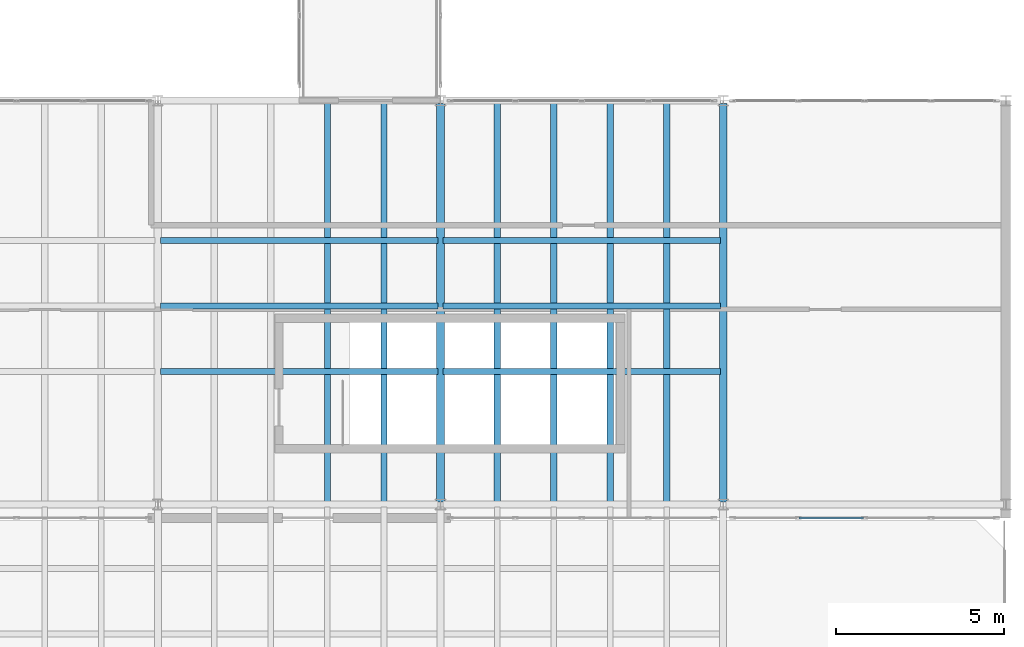
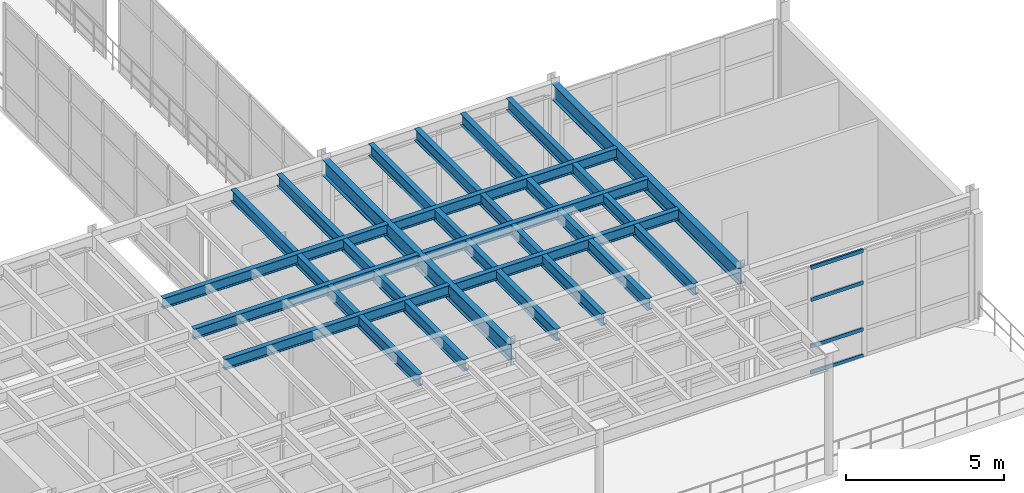
# One storey, part 46 of 105: 14 beams, 4 members, 1 element without a shape of its own.
"""IFC4 building model written with IfcOpenShell, lengths in metres."""

from ifc_helpers import new_model, si_unit, direction, frame, origin, origin_2d, place, context, subcontext, project, spatial, hollow_rectangle, i_section, extrude, material, layer, layer_set, material_profile, profile_set, type_object, element, aggregate, save


model = new_model("IFC4")

# Units and contexts
model_context = context("Model", 3, precision=1e-05, world=origin(), true_north=direction((0.0, 1.0)))
body_context = subcontext(model_context, "Body", "Model", "MODEL_VIEW")
ifc_project = project(units=[si_unit("LENGTHUNIT", "METRE"), si_unit("AREAUNIT", "SQUARE_METRE"), si_unit("VOLUMEUNIT", "CUBIC_METRE"), si_unit("PLANEANGLEUNIT", "RADIAN"), si_unit("MASSUNIT", "GRAM", prefix="KILO")], contexts=[model_context])

# Site, building, storey
site_placement = place(None, origin())
site = spatial("IfcSite", under=ifc_project, at=site_placement, CompositionType="ELEMENT")
building_placement = place(site_placement, origin())
building = spatial("IfcBuilding", under=site, at=building_placement, Name="Selat Folded Stagehouse", CompositionType="ELEMENT")
storey_placement = place(building_placement, frame((0.0, 0.0, 10.199951171875)))
storey = spatial("IfcBuildingStorey", under=building, at=storey_placement, Name="L02", CompositionType="ELEMENT", Elevation=10.199951171875)

# Beams
ifc_material_1 = material(Name="Steel S355", Category="steel")
ifc_material_profile_1 = material_profile(ifc_material_1, i_section(OverallWidth=0.230224609375, OverallDepth=0.6171875, WebThickness=0.01318359375, FlangeThickness=0.022216796875, FilletRadius=0.0126953125, at=origin_2d()), Name="UKB 610x229x140")
ifc_profile_set_1 = profile_set([ifc_material_profile_1], Name="Steel S355")
beam_type_1 = type_object("IfcBeamType", Name="BM-GIRD-610x229x140", PredefinedType="BEAM", material=ifc_profile_set_1)
for number, where, z_axis, x_axis, name in (
    (1, (100.800048828125, 5.876953125, 4.266357421875), (0.0, 1.0, 0.0), (-1.0, 0.0, 0.0), "L02 primary y-girder 1068"),
    (2, (109.199951171875, 5.876953125, 4.266357421875), (0.0, 1.0, 0.0), (-1.0, 0.0, 0.0), "L02 primary y-girder 1070"),
):
    element("IfcBeam", number, at=place(storey_placement, frame(where, z_axis=z_axis, x_axis=x_axis)), inside=storey, type_object=beam_type_1, Name=name, PredefinedType="BEAM", context=body_context, shape_type="SweptSolid", body=[
        extrude(i_section(OverallWidth=0.230224609375, OverallDepth=0.6171875, WebThickness=0.01318359375, FlangeThickness=0.022216796875, FilletRadius=0.0126953125, at=origin_2d()), origin(), (0.0, 0.0, 1.0), 11.845947265625),
    ])

# Curtain wall, members
ifc_material_2 = material(Name="Aluminium 6063-T6", Category="aluminium")
ifc_layer = layer(ifc_material_2, 0.2099609375)
ifc_layer_set = layer_set([ifc_layer], Name="Aluminium 6063-T6")
curtain_wall_type = type_object("IfcCurtainWallType", Name="CW-FYR-SOUTH", PredefinedType="NOTDEFINED", material=ifc_layer_set)
curtain_wall_placement = place(storey_placement, origin())
curtain_wall = element("IfcCurtainWall", 3, at=curtain_wall_placement, inside=storey, type_object=curtain_wall_type, Name="L02 curtain wall CW-FYR-L02-06", PredefinedType="NOTDEFINED")
ifc_material_profile_2 = material_profile(ifc_material_2, hollow_rectangle(XDim=0.06494140625, YDim=0.139892578125, WallThickness=0.00390625, at=origin_2d()), Name="ALU 140x65x4.0")
ifc_profile_set_2 = profile_set([ifc_material_profile_2], Name="Aluminium 6063-T6")
member_type = type_object("IfcMemberType", Name="CWM-TRN-140x65", PredefinedType="USERDEFINED", material=ifc_profile_set_2)
member_1_placement = place(storey_placement, frame((113.367431640625, 5.39990234375, 0.032470703125), z_axis=(-1.0, 0.0, 0.0), x_axis=(0.0, -1.0, 0.0)))
member_1 = element("IfcMember", 4, at=member_1_placement, type_object=member_type, Name="CW-04 transom 3.1", ObjectType="TRANSOM", PredefinedType="USERDEFINED", context=body_context, shape_type="SweptSolid", body=[
    extrude(hollow_rectangle(XDim=0.06494140625, YDim=0.139892578125, WallThickness=0.00390625, at=origin_2d()), origin(), (0.0, 0.0, 1.0), 1.909912109375),
])
member_2_placement = place(storey_placement, frame((113.367431640625, 5.39990234375, 1.050048828125), z_axis=(-1.0, 0.0, 0.0), x_axis=(0.0, -1.0, 0.0)))
member_2 = element("IfcMember", 5, at=member_2_placement, type_object=member_type, Name="CW-04 transom 3.2", ObjectType="TRANSOM", PredefinedType="USERDEFINED", context=body_context, shape_type="SweptSolid", body=[
    extrude(hollow_rectangle(XDim=0.06494140625, YDim=0.139892578125, WallThickness=0.00390625, at=origin_2d()), origin(), (0.0, 0.0, 1.0), 1.909912109375),
])
member_3_placement = place(storey_placement, frame((113.367431640625, 5.39990234375, 2.85009765625), z_axis=(-1.0, 0.0, 0.0), x_axis=(0.0, -1.0, 0.0)))
member_3 = element("IfcMember", 6, at=member_3_placement, type_object=member_type, Name="CW-04 transom 3.3", ObjectType="TRANSOM", PredefinedType="USERDEFINED", context=body_context, shape_type="SweptSolid", body=[
    extrude(hollow_rectangle(XDim=0.06494140625, YDim=0.139892578125, WallThickness=0.00390625, at=origin_2d()), origin(), (0.0, 0.0, 1.0), 1.909912109375),
])
member_4_placement = place(storey_placement, frame((113.367431640625, 5.39990234375, 4.087646484375), z_axis=(-1.0, 0.0, 0.0), x_axis=(0.0, -1.0, 0.0)))
member_4 = element("IfcMember", 7, at=member_4_placement, type_object=member_type, Name="CW-04 transom 3.4", ObjectType="TRANSOM", PredefinedType="USERDEFINED", context=body_context, shape_type="SweptSolid", body=[
    extrude(hollow_rectangle(XDim=0.06494140625, YDim=0.139892578125, WallThickness=0.00390625, at=origin_2d()), origin(), (0.0, 0.0, 1.0), 1.909912109375),
])
aggregate(curtain_wall, [member_1, member_2, member_3, member_4])

# Beams
ifc_material_profile_3 = material_profile(ifc_material_1, i_section(OverallWidth=0.177978515625, OverallDepth=0.406494140625, WebThickness=0.0078125, FlangeThickness=0.0126953125, FilletRadius=0.01025390625, at=origin_2d()), Name="UKB 406x178x60")
ifc_profile_set_3 = profile_set([ifc_material_profile_3], Name="Steel S355")
beam_type_2 = type_object("IfcBeamType", Name="JST-406x178x60", PredefinedType="JOIST", material=ifc_profile_set_3)
for number, where, z_axis, x_axis, name in (
    (8, (92.480712890625, 9.75, 4.371826171875), (1.0, 0.0, 0.0), (0.0, 1.0, 0.0), "L02 secondary x-joist 1224"),
    (9, (100.880615234375, 9.75, 4.371826171875), (1.0, 0.0, 0.0), (0.0, 1.0, 0.0), "L02 secondary x-joist 1225"),
    (10, (92.480712890625, 11.699951171875, 4.371826171875), (1.0, 0.0, 0.0), (0.0, 1.0, 0.0), "L02 secondary x-joist 1232"),
    (11, (100.880615234375, 11.699951171875, 4.371826171875), (1.0, 0.0, 0.0), (0.0, 1.0, 0.0), "L02 secondary x-joist 1233"),
    (12, (92.480712890625, 13.64990234375, 4.371826171875), (1.0, 0.0, 0.0), (0.0, 1.0, 0.0), "L02 secondary x-joist 1241"),
    (13, (100.880615234375, 13.64990234375, 4.371826171875), (1.0, 0.0, 0.0), (0.0, 1.0, 0.0), "L02 secondary x-joist 1242"),
):
    element("IfcBeam", number, at=place(storey_placement, frame(where, z_axis=z_axis, x_axis=x_axis)), inside=storey, type_object=beam_type_2, Name=name, PredefinedType="JOIST", context=body_context, shape_type="SweptSolid", body=[
        extrude(i_section(OverallWidth=0.177978515625, OverallDepth=0.406494140625, WebThickness=0.0078125, FlangeThickness=0.0126953125, FilletRadius=0.01025390625, at=origin_2d()), origin(), (0.0, 0.0, 1.0), 8.23876953125),
    ])
ifc_material_profile_4 = material_profile(ifc_material_1, i_section(OverallWidth=0.18994140625, OverallDepth=0.453369140625, WebThickness=0.008544921875, FlangeThickness=0.0126953125, FilletRadius=0.01025390625, at=origin_2d()), Name="UKB 457x191x67")
ifc_profile_set_4 = profile_set([ifc_material_profile_4], Name="Steel S355")
beam_type_3 = type_object("IfcBeamType", Name="JST-457x191x67", PredefinedType="JOIST", material=ifc_profile_set_4)
for number, where, z_axis, x_axis, name in (
    (14, (97.43994140625, 5.873291015625, 4.348388671875), (0.0, 1.0, 0.0), (-1.0, 0.0, 0.0), "L02 secondary floor joist 1172"),
    (15, (99.1201171875, 5.873291015625, 4.348388671875), (0.0, 1.0, 0.0), (-1.0, 0.0, 0.0), "L02 secondary floor joist 1174"),
    (16, (102.47998046875, 5.873291015625, 4.348388671875), (0.0, 1.0, 0.0), (-1.0, 0.0, 0.0), "L02 secondary floor joist 1176"),
    (17, (104.159912109375, 5.873291015625, 4.348388671875), (0.0, 1.0, 0.0), (-1.0, 0.0, 0.0), "L02 secondary floor joist 1178"),
    (18, (105.840087890625, 5.873291015625, 4.348388671875), (0.0, 1.0, 0.0), (-1.0, 0.0, 0.0), "L02 secondary floor joist 1180"),
    (19, (107.52001953125, 5.873291015625, 4.348388671875), (0.0, 1.0, 0.0), (-1.0, 0.0, 0.0), "L02 secondary floor joist 1182"),
):
    element("IfcBeam", number, at=place(storey_placement, frame(where, z_axis=z_axis, x_axis=x_axis)), inside=storey, type_object=beam_type_3, Name=name, PredefinedType="JOIST", context=body_context, shape_type="SweptSolid", body=[
        extrude(i_section(OverallWidth=0.18994140625, OverallDepth=0.453369140625, WebThickness=0.008544921875, FlangeThickness=0.0126953125, FilletRadius=0.01025390625, at=origin_2d()), origin(), (0.0, 0.0, 1.0), 11.853515625),
    ])

save(model, "model.ifc")
